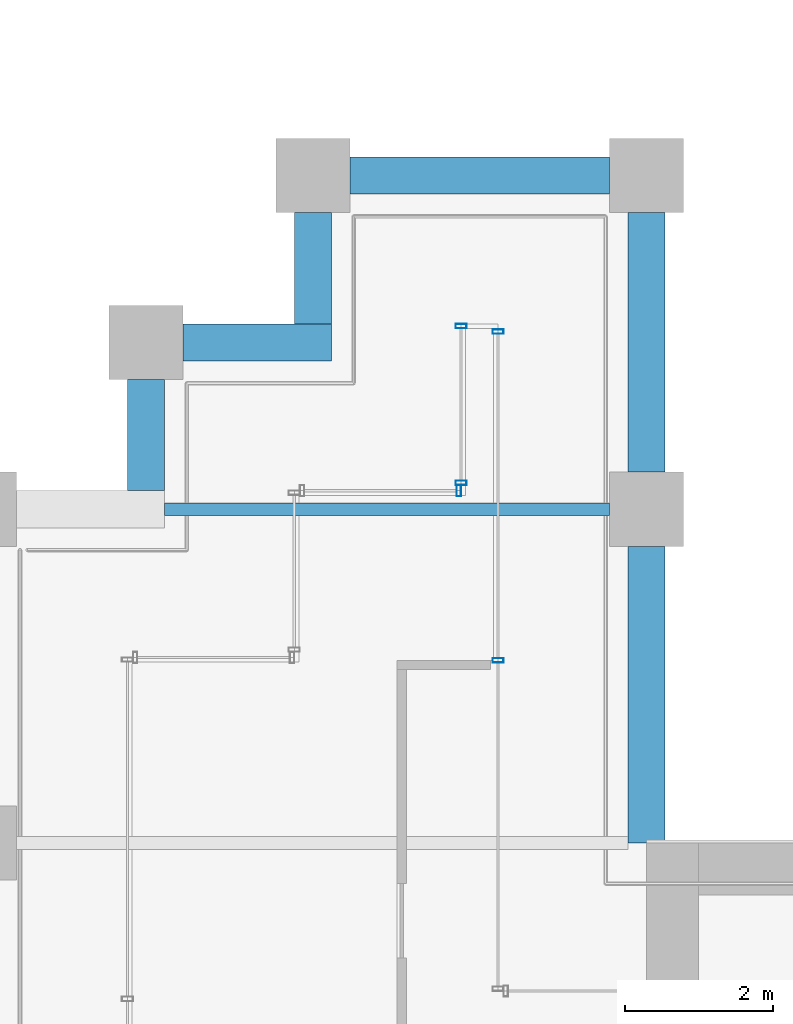
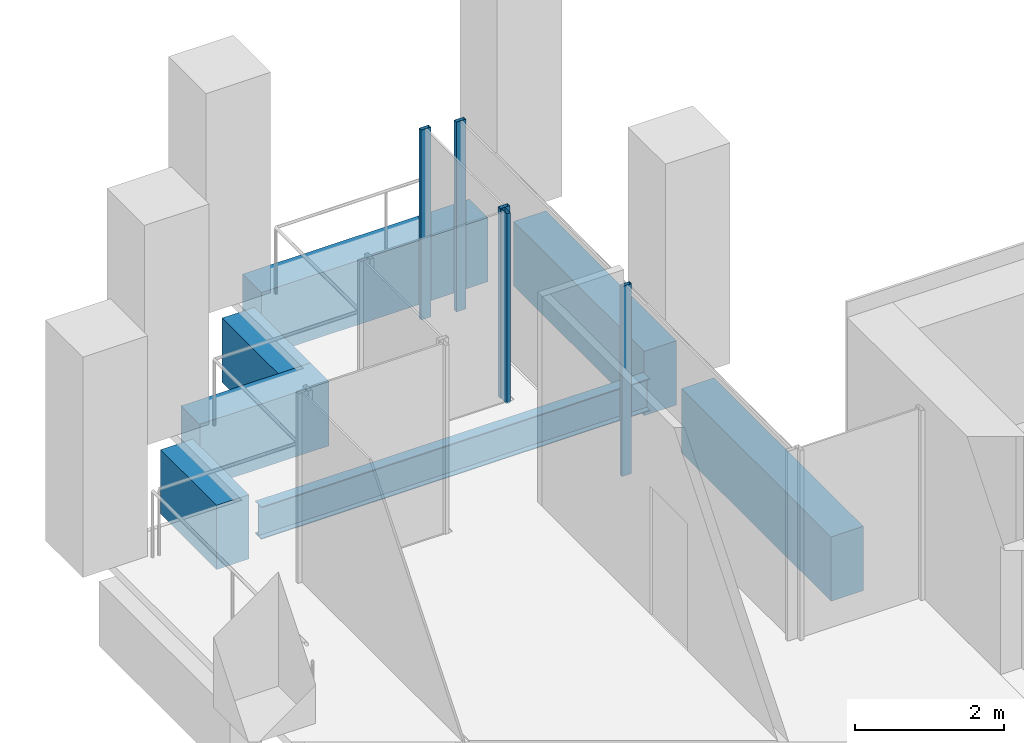
# One storey, part 35 of 46: 7 beams, 5 members, 3 elements without a shape of their own.
"""IFC4 building model written with IfcOpenShell, lengths in metres."""

import ifcopenshell
import ifcopenshell.guid

model = None  # the IFC model being written
_history = None  # IfcOwnerHistory: only IFC2X3 demands one
_inside = {}  # id of a spatial element -> (the spatial element, [elements in it])
_under = {}  # id of a project, library or spatial element -> (it, [spatial elements below it])
_declared = {}  # id of a project -> (the project, [libraries it declares])
_typed = {}  # id of a type object -> (the type object, [elements of that type])
_made_of = {}  # id of a material, layer set ... -> (it, [elements and type objects made of it])


def new_model(schema):
    """Start an empty IFC model of exactly this schema.

    Asked for "IFC4X3", IfcOpenShell would pick the latest addendum, in which some entities
    have other attributes; the version numbers below select the first issue.
    IFC2X3 requires an IfcOwnerHistory on every rooted entity: one is made here for all.
    """
    global model, _history
    if schema == "IFC4X3":
        model = ifcopenshell.file(schema_version=(4, 3, 0, 0))
    else:
        model = ifcopenshell.file(schema=schema)
    _inside.clear()
    _under.clear()
    _declared.clear()
    _typed.clear()
    _made_of.clear()
    _history = None
    if model.schema == "IFC2X3":
        org = make("IfcOrganization", Name="unknown")
        user = make(
            "IfcPersonAndOrganization",
            ThePerson=make("IfcPerson", FamilyName="unknown"),
            TheOrganization=org,
        )
        app = make(
            "IfcApplication",
            ApplicationDeveloper=org,
            Version="unknown",
            ApplicationFullName="unknown",
            ApplicationIdentifier="unknown",
        )
        _history = make(
            "IfcOwnerHistory",
            OwningUser=user,
            OwningApplication=app,
            ChangeAction="ADDED",
            CreationDate=0,
        )
    return model


def make(cls, **values):
    """One entity of the class cls with the attributes given. An attribute that is None is left unset."""
    return model.create_entity(
        cls, **{name: value for name, value in values.items() if value is not None}
    )


def rooted(cls, **values):
    """An entity with a GlobalId (a new one), such as an element, a storey or a relation."""
    return make(cls, GlobalId=ifcopenshell.guid.new(), OwnerHistory=_history, **values)


def si_unit(unit_type, name, prefix=None):
    """IfcSIUnit, for example si_unit("LENGTHUNIT", "METRE", prefix="MILLI")."""
    return make("IfcSIUnit", UnitType=unit_type, Prefix=prefix, Name=name)


def assignment(units):
    """IfcUnitAssignment: the units of a project."""
    return None if units is None else make("IfcUnitAssignment", Units=units)


def point(xyz):
    """IfcCartesianPoint."""
    return None if xyz is None else make("IfcCartesianPoint", Coordinates=xyz)


def direction(xyz):
    """IfcDirection."""
    return None if xyz is None else make("IfcDirection", DirectionRatios=xyz)


def frame(location, z_axis=None, x_axis=None):
    """IfcAxis2Placement3D, a coordinate frame: its origin and axes. An axis left out is left unset."""
    return make(
        "IfcAxis2Placement3D",
        Location=point(location),
        Axis=direction(z_axis),
        RefDirection=direction(x_axis),
    )


def frame_2d(location, x_axis=None):
    """IfcAxis2Placement2D, a coordinate frame in the plane: its origin and x axis."""
    return make(
        "IfcAxis2Placement2D", Location=point(location), RefDirection=direction(x_axis)
    )


def origin():
    """The frame at (0, 0, 0) with its axes left unset."""
    return frame((0.0, 0.0, 0.0))


def origin_2d():
    """The frame at (0, 0) in the plane with its x axis left unset."""
    return frame_2d((0.0, 0.0))


def place(relative_to, where):
    """IfcLocalPlacement: puts the frame where relative to a parent placement (None: the world)."""
    return make(
        "IfcLocalPlacement", PlacementRelTo=relative_to, RelativePlacement=where
    )


def context(
    kind, dimensions, precision=None, world=None, true_north=None, identifier=None
):
    """IfcGeometricRepresentationContext, for example the 3D "Model" context."""
    return make(
        "IfcGeometricRepresentationContext",
        ContextIdentifier=identifier,
        ContextType=kind,
        CoordinateSpaceDimension=dimensions,
        Precision=precision,
        WorldCoordinateSystem=world,
        TrueNorth=true_north,
    )


def subcontext(parent, identifier, kind, view, scale=None):
    """IfcGeometricRepresentationSubContext, for example "Body" below "Model"."""
    return make(
        "IfcGeometricRepresentationSubContext",
        ContextIdentifier=identifier,
        ContextType=kind,
        ParentContext=parent,
        TargetScale=scale,
        TargetView=view,
    )


def project(units=None, contexts=None):
    """IfcProject with its units and contexts."""
    return rooted(
        "IfcProject",
        Name="project",
        RepresentationContexts=contexts,
        UnitsInContext=assignment(units),
    )


def spatial(cls, under=None, at=None, **own):
    """A site, building, storey or space (cls), placed at a placement, below another one or the project."""
    s = rooted(cls, ObjectPlacement=at, **own)
    if under is not None:
        _under.setdefault(under.id(), (under, []))[1].append(s)
    return s


def profile(cls, at=None, kind="AREA", **sizes):
    """A parametric profile (cls). Its sizes go by their IFC names, for example OverallWidth=200.0."""
    return make(cls, ProfileType=kind, Position=at, **sizes)


def rectangle(**sizes):
    """IfcRectangleProfileDef."""
    return profile("IfcRectangleProfileDef", **sizes)


def hollow_rectangle(**sizes):
    """IfcRectangleHollowProfileDef."""
    return profile("IfcRectangleHollowProfileDef", **sizes)


def i_section(**sizes):
    """IfcIShapeProfileDef."""
    return profile("IfcIShapeProfileDef", **sizes)


def extrude(swept, where, along, depth):
    """IfcExtrudedAreaSolid: the profile swept, set in the frame where, extruded along a direction by depth."""
    return make(
        "IfcExtrudedAreaSolid",
        SweptArea=swept,
        Position=where,
        ExtrudedDirection=direction(along),
        Depth=depth,
    )


def shape(context_of_items, identifier, shape_type, items):
    """IfcShapeRepresentation: the items that make up one representation, for example the "Body"."""
    return make(
        "IfcShapeRepresentation",
        ContextOfItems=context_of_items,
        RepresentationIdentifier=identifier,
        RepresentationType=shape_type,
        Items=items,
    )


def material(Name=None, Category=None):
    """IfcMaterial."""
    return make("IfcMaterial", Name=Name, Category=Category)


def material_profile(
    of_material, cross_section, Name=None, Category=None, Priority=None
):
    """IfcMaterialProfile: a cross section and its material."""
    return make(
        "IfcMaterialProfile",
        Name=Name,
        Material=of_material,
        Profile=cross_section,
        Priority=Priority,
        Category=Category,
    )


def profile_set(profiles, Name=None, composite=None):
    """IfcMaterialProfileSet."""
    return make(
        "IfcMaterialProfileSet",
        Name=Name,
        MaterialProfiles=profiles,
        CompositeProfile=composite,
    )


def made_of(thing, what):
    """Note that an element or type object is made of a material, layer set ...; save() writes the relation."""
    if what is not None:
        _made_of.setdefault(what.id(), (what, []))[1].append(thing)
    return thing


def type_object(cls, material=None, **own):
    """A type object (cls), such as IfcWallType, which elements share."""
    return made_of(rooted(cls, **own), material)


def element(
    cls,
    number,
    at=None,
    inside=None,
    cuts=None,
    type_object=None,
    material=None,
    context=None,
    identifier="Body",
    shape_type=None,
    held_by="IfcProductDefinitionShape",
    body=None,
    shapes=None,
    **own,
):
    """One element of the class cls, such as IfcWall. Its Tag is "e" and its number.

    at: its placement. inside: the storey or other place that contains it. cuts: it is an
    opening in that element (IfcRelVoidsElement). A single representation is given by context,
    identifier, shape_type and body (its items); several are given by shapes. held_by: the class
    of the entity that holds the representations. save() writes the other relations.
    """
    e = rooted(cls, Tag="e%d" % number, ObjectPlacement=at, **own)
    if body is not None:
        shapes = [shape(context, identifier, shape_type, body)]
    if shapes is not None:
        e.Representation = make(held_by, Representations=shapes)
    if inside is not None:
        _inside.setdefault(inside.id(), (inside, []))[1].append(e)
    if cuts is not None:
        rooted(
            "IfcRelVoidsElement", RelatingBuildingElement=cuts, RelatedOpeningElement=e
        )
    if type_object is not None:
        _typed.setdefault(type_object.id(), (type_object, []))[1].append(e)
    return made_of(e, material)


def aggregate(whole, parts):
    """IfcRelAggregates: a whole, such as a stair, and the parts it consists of."""
    return rooted("IfcRelAggregates", RelatingObject=whole, RelatedObjects=parts)


def save(model, path):
    """Write the relations noted so far, then the file.

    IfcRelAggregates (storeys below a building ...), IfcRelContainedInSpatialStructure (elements
    in a storey), IfcRelDefinesByType, IfcRelAssociatesMaterial and IfcRelDeclares: one each for
    every whole, place, type object, material and project.
    """
    for whole, parts in _under.values():
        aggregate(whole, parts)
    for where, things in _inside.values():
        rooted(
            "IfcRelContainedInSpatialStructure",
            RelatedElements=things,
            RelatingStructure=where,
        )
    for kind, things in _typed.values():
        rooted("IfcRelDefinesByType", RelatedObjects=things, RelatingType=kind)
    for what, things in _made_of.values():
        rooted("IfcRelAssociatesMaterial", RelatedObjects=things, RelatingMaterial=what)
    for by, libraries in _declared.values():
        rooted("IfcRelDeclares", RelatingContext=by, RelatedDefinitions=libraries)
    model.write(path)


model = new_model("IFC4")

# Units and contexts
model_context = context("Model", 3, precision=1e-05, world=origin(), true_north=direction((0.0, 1.0)))
body_context = subcontext(model_context, "Body", "Model", "MODEL_VIEW")
ifc_project = project(units=[si_unit("LENGTHUNIT", "METRE"), si_unit("AREAUNIT", "SQUARE_METRE"), si_unit("VOLUMEUNIT", "CUBIC_METRE"), si_unit("PLANEANGLEUNIT", "RADIAN"), si_unit("MASSUNIT", "GRAM", prefix="KILO")], contexts=[model_context])

# Site, building, storey
site_placement = place(None, origin())
site = spatial("IfcSite", under=ifc_project, at=site_placement, CompositionType="ELEMENT")
building_placement = place(site_placement, origin())
building = spatial("IfcBuilding", under=site, at=building_placement, Name="Altepetl Exchange Towers", CompositionType="ELEMENT")
storey_placement = place(building_placement, frame((0.0, 0.0, 124.39990234375)))
storey = spatial("IfcBuildingStorey", under=building, at=storey_placement, Name="L30", CompositionType="ELEMENT", Elevation=124.39990234375)

# Beam
ifc_material_1 = material(Name="Steel S355", Category="steel")
ifc_material_profile_1 = material_profile(ifc_material_1, i_section(OverallWidth=0.166015625, OverallDepth=0.529052734375, WebThickness=0.009765625, FlangeThickness=0.013671875, at=origin_2d()), Name="W21X50")
ifc_profile_set_1 = profile_set([ifc_material_profile_1], Name="Steel S355")
beam_type_1 = type_object("IfcBeamType", Name="Floor beam W21X50", PredefinedType="BEAM", material=ifc_profile_set_1)
beam_1_placement = place(storey_placement, frame((97.0, 54.0, -0.414306640625), z_axis=(1.0, 0.0, 0.0), x_axis=(0.0, 1.0, 0.0)))
element("IfcBeam", 1, at=beam_1_placement, inside=storey, type_object=beam_type_1, Name="bm:B:L30:011", PredefinedType="BEAM", context=body_context, shape_type="SweptSolid", body=[
    extrude(i_section(OverallWidth=0.166015625, OverallDepth=0.529052734375, WebThickness=0.009765625, FlangeThickness=0.013671875, at=origin_2d()), origin(), (0.0, 0.0, 1.0), 6.0),
])

# Curtain wall, members
ifc_material_2 = material(Name="Aluminium 6063-T6 glazing", Category="aluminium")
curtain_wall_type = type_object("IfcCurtainWallType", Name="Loggia glazing system", PredefinedType="NOTDEFINED", material=ifc_material_2)
curtain_wall_1_placement = place(storey_placement, origin())
curtain_wall_1 = element("IfcCurtainWall", 2, at=curtain_wall_1_placement, inside=storey, type_object=curtain_wall_type, Name="CW1 run", PredefinedType="NOTDEFINED")
ifc_material_3 = material(Name="Aluminium 6063-T6", Category="aluminium")
ifc_material_profile_2 = material_profile(ifc_material_3, hollow_rectangle(XDim=0.06005859375, YDim=0.14990234375, WallThickness=0.0029296875, at=origin_2d()), Name="Mullion 60x150 aluminium")
ifc_profile_set_2 = profile_set([ifc_material_profile_2], Name="Aluminium 6063-T6")
member_type = type_object("IfcMemberType", Name="Mullion 60x150 aluminium", PredefinedType="MULLION", material=ifc_profile_set_2)
member_1_placement = place(storey_placement, frame((101.5, 51.96240234375, 0.0), z_axis=(0.0, 0.0, 1.0), x_axis=(0.0, 1.0, 0.0)))
member_1 = element("IfcMember", 3, at=member_1_placement, type_object=member_type, Name="MU1 mullion", PredefinedType="MULLION", context=body_context, shape_type="SweptSolid", body=[
    extrude(hollow_rectangle(XDim=0.06005859375, YDim=0.14990234375, WallThickness=0.0029296875, at=origin_2d()), origin(), (0.0, 0.0, 1.0), 3.10009765625),
])
member_2_placement = place(storey_placement, frame((101.5, 56.39501953125, 0.0), z_axis=(0.0, 0.0, 1.0), x_axis=(0.0, 1.0, 0.0)))
member_2 = element("IfcMember", 4, at=member_2_placement, type_object=member_type, Name="MU1 mullion", PredefinedType="MULLION", context=body_context, shape_type="SweptSolid", body=[
    extrude(hollow_rectangle(XDim=0.06005859375, YDim=0.14990234375, WallThickness=0.0029296875, at=origin_2d()), origin(), (0.0, 0.0, 1.0), 3.10009765625),
])
aggregate(curtain_wall_1, [member_1, member_2])

curtain_wall_2_placement = place(storey_placement, origin())
curtain_wall_2 = element("IfcCurtainWall", 5, at=curtain_wall_2_placement, inside=storey, type_object=curtain_wall_type, Name="CW1 run", PredefinedType="NOTDEFINED")
member_3_placement = place(storey_placement, frame((101.0, 56.469970703125, 0.0), z_axis=(0.0, 0.0, 1.0), x_axis=(0.0, -1.0, 0.0)))
member_3 = element("IfcMember", 6, at=member_3_placement, type_object=member_type, Name="MU1 mullion", PredefinedType="MULLION", context=body_context, shape_type="SweptSolid", body=[
    extrude(hollow_rectangle(XDim=0.06005859375, YDim=0.14990234375, WallThickness=0.0029296875, at=origin_2d()), origin(), (0.0, 0.0, 1.0), 3.10009765625),
])
member_4_placement = place(storey_placement, frame((101.0, 54.35498046875, 0.0), z_axis=(0.0, 0.0, 1.0), x_axis=(0.0, -1.0, 0.0)))
member_4 = element("IfcMember", 7, at=member_4_placement, type_object=member_type, Name="MU1 mullion", PredefinedType="MULLION", context=body_context, shape_type="SweptSolid", body=[
    extrude(hollow_rectangle(XDim=0.06005859375, YDim=0.14990234375, WallThickness=0.0029296875, at=origin_2d()), origin(), (0.0, 0.0, 1.0), 3.10009765625),
])
aggregate(curtain_wall_2, [member_3, member_4])

# Curtain wall, member
curtain_wall_3_placement = place(storey_placement, origin())
curtain_wall_3 = element("IfcCurtainWall", 8, at=curtain_wall_3_placement, inside=storey, type_object=curtain_wall_type, Name="CW1 run", PredefinedType="NOTDEFINED")
member_5_placement = place(storey_placement, frame((100.969970703125, 54.25, 0.0), z_axis=(0.0, 0.0, 1.0), x_axis=(-1.0, 0.0, 0.0)))
member_5 = element("IfcMember", 9, at=member_5_placement, type_object=member_type, Name="MU1 mullion", PredefinedType="MULLION", context=body_context, shape_type="SweptSolid", body=[
    extrude(hollow_rectangle(XDim=0.06005859375, YDim=0.14990234375, WallThickness=0.0029296875, at=origin_2d()), origin(), (0.0, 0.0, 1.0), 3.10009765625),
])
aggregate(curtain_wall_3, [member_5])

# Beams
ifc_material_4 = material(Name="Concrete C50/60 precast with cantera rosa facing", Category="concrete")
ifc_material_profile_3 = material_profile(ifc_material_4, rectangle(XDim=0.5, YDim=1.050048828125, at=origin_2d()), Name="500 x 1050")
ifc_profile_set_3 = profile_set([ifc_material_profile_3], Name="Concrete C50/60 precast with cantera rosa facing")
beam_type_2 = type_object("IfcBeamType", Name="Spandrel beam 500x1050 cantera rosa", PredefinedType="SPANDREL", material=ifc_profile_set_3)
beam_2_placement = place(storey_placement, frame((103.5, 49.5, -0.6748046875), z_axis=(0.0, 1.0, 0.0), x_axis=(-1.0, 0.0, 0.0)))
element("IfcBeam", 10, at=beam_2_placement, inside=storey, type_object=beam_type_2, Name="sp:B:L30:015", PredefinedType="SPANDREL", context=body_context, shape_type="SweptSolid", body=[
    extrude(rectangle(XDim=0.5, YDim=1.050048828125, at=origin_2d()), origin(), (0.0, 0.0, 1.0), 4.0),
])
for number, where, z_axis, x_axis, name in (
    (11, (103.5, 54.5, -0.6748046875), (0.0, 1.0, 0.0), (-1.0, 0.0, 0.0), "sp:B:L30:016"),
    (12, (103.0, 58.5, -0.6748046875), (-1.0, 0.0, 0.0), (0.0, -1.0, 0.0), "sp:B:L30:017"),
):
    element("IfcBeam", number, at=place(storey_placement, frame(where, z_axis=z_axis, x_axis=x_axis)), inside=storey, type_object=beam_type_2, Name=name, PredefinedType="SPANDREL", context=body_context, shape_type="SweptSolid", body=[
        extrude(rectangle(XDim=0.5, YDim=1.050048828125, at=origin_2d()), origin(), (0.0, 0.0, 1.0), 3.5),
    ])
beam_3_placement = place(storey_placement, frame((99.0, 58.0, -0.6748046875), z_axis=(0.0, -1.0, 0.0), x_axis=(1.0, 0.0, 0.0)))
element("IfcBeam", 13, at=beam_3_placement, inside=storey, type_object=beam_type_2, Name="sp:B:L30:018", PredefinedType="SPANDREL", context=body_context, shape_type="SweptSolid", body=[
    extrude(rectangle(XDim=0.5, YDim=1.050048828125, at=origin_2d()), origin(), (0.0, 0.0, 1.0), 1.5),
])
beam_4_placement = place(storey_placement, frame((99.25, 56.25, -0.6748046875), z_axis=(-1.0, 0.0, 0.0), x_axis=(0.0, -1.0, 0.0)))
element("IfcBeam", 14, at=beam_4_placement, inside=storey, type_object=beam_type_2, Name="sp:B:L30:019", PredefinedType="SPANDREL", context=body_context, shape_type="SweptSolid", body=[
    extrude(rectangle(XDim=0.5, YDim=1.050048828125, at=origin_2d()), origin(), (0.0, 0.0, 1.0), 2.0),
])
beam_5_placement = place(storey_placement, frame((96.75, 55.75, -0.6748046875), z_axis=(0.0, -1.0, 0.0), x_axis=(1.0, 0.0, 0.0)))
element("IfcBeam", 15, at=beam_5_placement, inside=storey, type_object=beam_type_2, Name="sp:B:L30:020", PredefinedType="SPANDREL", context=body_context, shape_type="SweptSolid", body=[
    extrude(rectangle(XDim=0.5, YDim=1.050048828125, at=origin_2d()), origin(), (0.0, 0.0, 1.0), 1.5),
])

save(model, "model.ifc")
